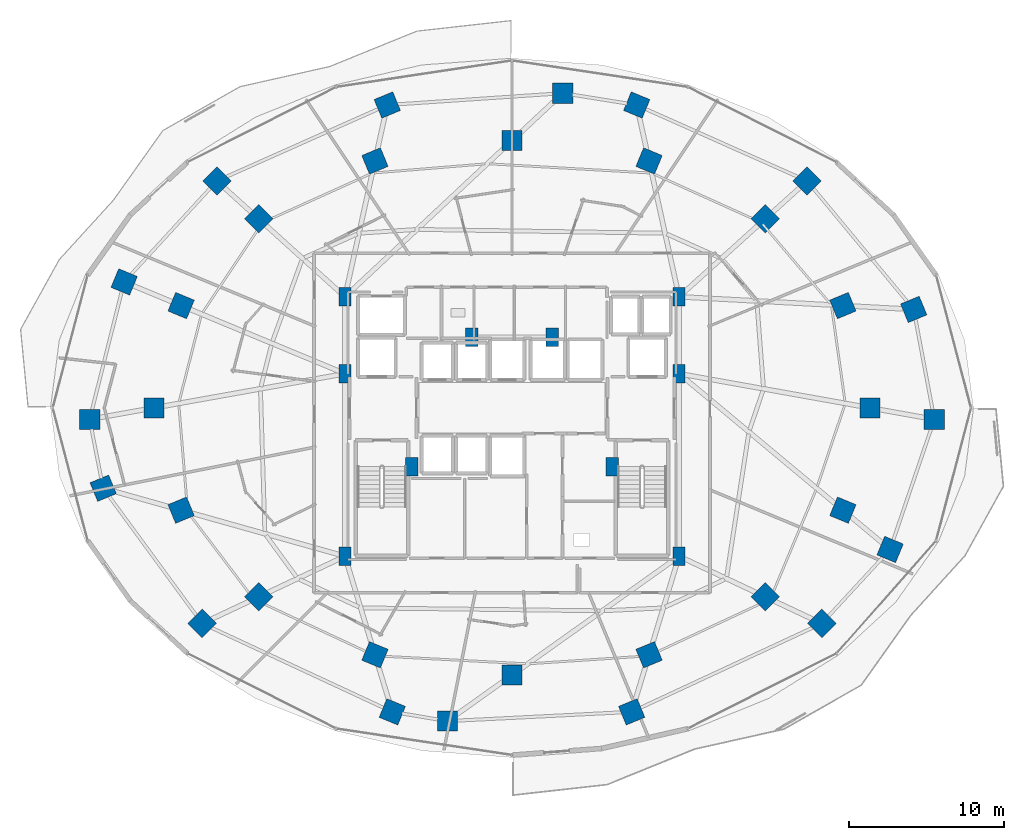
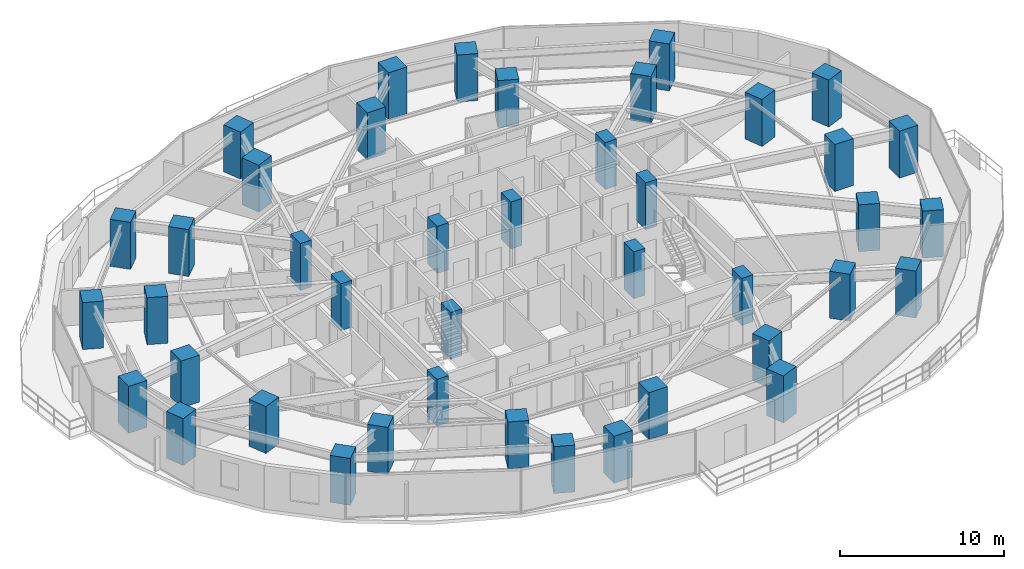
# One storey, part 1 of 35: 42 columns.
"""IFC4 building model written with IfcOpenShell, lengths in metres."""

from ifc_helpers import new_model, si_unit, direction, frame, origin, origin_2d, place, context, subcontext, project, spatial, rectangle, extrude, material, material_profile, profile_set, type_object, element, save


model = new_model("IFC4")

# Units and contexts
model_context = context("Model", 3, precision=1e-05, world=origin(), true_north=direction((0.0, 1.0)))
body_context = subcontext(model_context, "Body", "Model", "MODEL_VIEW")
ifc_project = project(units=[si_unit("LENGTHUNIT", "METRE"), si_unit("AREAUNIT", "SQUARE_METRE"), si_unit("VOLUMEUNIT", "CUBIC_METRE"), si_unit("PLANEANGLEUNIT", "RADIAN"), si_unit("MASSUNIT", "GRAM", prefix="KILO")], contexts=[model_context])

# Site, building, storey
site_placement = place(None, origin())
site = spatial("IfcSite", under=ifc_project, at=site_placement, CompositionType="ELEMENT")
building_placement = place(site_placement, origin())
building = spatial("IfcBuilding", under=site, at=building_placement, Name="Vorneva Point Tower", CompositionType="ELEMENT")
storey_placement = place(building_placement, frame((0.0, 0.0, 45.0)))
storey = spatial("IfcBuildingStorey", under=building, at=storey_placement, Name="L11", CompositionType="ELEMENT", Elevation=45.0)

# Columns
ifc_material = material(Name="Concrete B60 (C50/60)", Category="concrete")
ifc_material_profile_1 = material_profile(ifc_material, rectangle(XDim=1.300048828125, YDim=1.300048828125, at=origin_2d()), Name="RC-COL 1300x1300")
ifc_profile_set_1 = profile_set([ifc_material_profile_1], Name="Concrete B60 (C50/60)")
column_type_1 = type_object("IfcColumnType", Name="COL-RC1300", PredefinedType="COLUMN", material=ifc_profile_set_1)
for number, where, z_axis, x_axis, name in (
    (1, (61.050048828125, 26.0, 0.0), (0.0, 0.0, 1.0), (1.0, 0.0, 0.0), "L11 Perimeter Column P01"),
    (2, (59.29541015625, 32.582275390625, 0.0), (0.0, 0.0, 1.0), (0.923879532511, 0.382683432365, 0.0), "L11 Perimeter Column P02"),
    (3, (54.298828125, 38.162109375, 0.0), (0.0, 0.0, 1.0), (0.707106781187, 0.707106781187, 0.0), "L11 Perimeter Column P03"),
    (4, (46.82080078125, 41.890625, 0.0), (0.0, 0.0, 1.0), (0.382683432365, 0.923879532511, 0.0), "L11 Perimeter Column P04"),
    (5, (38.0, 43.199951171875, 0.0), (0.0, 0.0, 1.0), (0.0, 1.0, 0.0), "L11 Perimeter Column P05"),
    (6, (29.17919921875, 41.890625, 0.0), (0.0, 0.0, 1.0), (-0.382683432365, 0.923879532511, 0.0), "L11 Perimeter Column P06"),
    (7, (21.701171875, 38.162109375, 0.0), (0.0, 0.0, 1.0), (-0.707106781187, 0.707106781187, 0.0), "L11 Perimeter Column P07"),
    (8, (16.70458984375, 32.582275390625, 0.0), (0.0, 0.0, 1.0), (-0.923879532511, 0.382683432365, 0.0), "L11 Perimeter Column P08"),
    (9, (14.949951171875, 26.0, 0.0), (0.0, 0.0, 1.0), (-1.0, 0.0, 0.0), "L11 Perimeter Column P09"),
    (10, (16.70458984375, 19.417724609375, 0.0), (0.0, 0.0, 1.0), (-0.923879532511, -0.382683432365, 0.0), "L11 Perimeter Column P10"),
    (11, (21.701171875, 13.837890625, 0.0), (0.0, 0.0, 1.0), (-0.707106781187, -0.707106781187, 0.0), "L11 Perimeter Column P11"),
    (12, (29.17919921875, 10.109375, 0.0), (0.0, 0.0, 1.0), (-0.382683432365, -0.923879532511, 0.0), "L11 Perimeter Column P12"),
    (13, (38.0, 8.800048828125, 0.0), (0.0, 0.0, 1.0), (0.0, -1.0, 0.0), "L11 Perimeter Column P13"),
    (14, (46.82080078125, 10.109375, 0.0), (0.0, 0.0, 1.0), (0.382683432365, -0.923879532511, 0.0), "L11 Perimeter Column P14"),
    (15, (54.298828125, 13.837890625, 0.0), (0.0, 0.0, 1.0), (0.707106781187, -0.707106781187, 0.0), "L11 Perimeter Column P15"),
    (16, (59.29541015625, 19.417724609375, 0.0), (0.0, 0.0, 1.0), (0.923879532511, -0.382683432365, 0.0), "L11 Perimeter Column P16"),
    (17, (65.18212890625, 25.260986328125, 0.0), (0.0, 0.0, 1.0), (1.0, 0.0, 0.0), "L11 Outer Zone Column OP01"),
    (18, (63.8544921875, 32.336669921875, 0.0), (0.0, 0.0, 1.0), (0.923879532511, 0.382683432365, 0.0), "L11 Outer Zone Column OP02"),
    (19, (56.997314453125, 40.599853515625, 0.0), (0.0, 0.0, 1.0), (0.707106781187, 0.707106781187, 0.0), "L11 Outer Zone Column OP03"),
    (20, (46.026123046875, 45.49169921875, 0.0), (0.0, 0.0, 1.0), (0.382683432365, 0.923879532511, 0.0), "L11 Outer Zone Column OP04"),
    (21, (41.26513671875, 46.25244140625, 0.0), (0.0, 0.0, 1.0), (0.0, 1.0, 0.0), "L11 Outer Zone Column OP05"),
    (22, (29.973876953125, 45.49169921875, 0.0), (0.0, 0.0, 1.0), (-0.382683432365, 0.923879532511, 0.0), "L11 Outer Zone Column OP06"),
    (23, (19.002685546875, 40.599853515625, 0.0), (0.0, 0.0, 1.0), (-0.707106781187, 0.707106781187, 0.0), "L11 Outer Zone Column OP07"),
    (24, (13.0390625, 34.10546875, 0.0), (0.0, 0.0, 1.0), (-0.923879532511, 0.382683432365, 0.0), "L11 Outer Zone Column OP08"),
    (25, (10.81787109375, 25.260986328125, 0.0), (0.0, 0.0, 1.0), (-1.0, 0.0, 0.0), "L11 Outer Zone Column OP09"),
    (26, (11.68798828125, 20.82958984375, 0.0), (0.0, 0.0, 1.0), (-0.923879532511, -0.382683432365, 0.0), "L11 Outer Zone Column OP10"),
    (27, (18.061279296875, 12.124267578125, 0.0), (0.0, 0.0, 1.0), (-0.707106781187, -0.707106781187, 0.0), "L11 Outer Zone Column OP11"),
    (28, (30.296875, 6.435302734375, 0.0), (0.0, 0.0, 1.0), (-0.382683432365, -0.923879532511, 0.0), "L11 Outer Zone Column OP12"),
    (29, (33.84033203125, 5.83984375, 0.0), (0.0, 0.0, 1.0), (0.0, -1.0, 0.0), "L11 Outer Zone Column OP13"),
    (30, (45.703125, 6.435302734375, 0.0), (0.0, 0.0, 1.0), (0.382683432365, -0.923879532511, 0.0), "L11 Outer Zone Column OP14"),
    (31, (57.938720703125, 12.124267578125, 0.0), (0.0, 0.0, 1.0), (0.707106781187, -0.707106781187, 0.0), "L11 Outer Zone Column OP15"),
    (32, (62.3349609375, 16.886474609375, 0.0), (0.0, 0.0, 1.0), (0.923879532511, -0.382683432365, 0.0), "L11 Outer Zone Column OP16"),
):
    element("IfcColumn", number, at=place(storey_placement, frame(where, z_axis=z_axis, x_axis=x_axis)), inside=storey, type_object=column_type_1, Name=name, PredefinedType="COLUMN", context=body_context, shape_type="SweptSolid", body=[
        extrude(rectangle(XDim=1.300048828125, YDim=1.300048828125, at=origin_2d()), origin(), (0.0, 0.0, 1.0), 3.5),
    ])
ifc_material_profile_2 = material_profile(ifc_material, rectangle(XDim=0.800048828125, YDim=1.199951171875, at=origin_2d()), Name="RC-PIL 1200x800")
ifc_profile_set_2 = profile_set([ifc_material_profile_2], Name="Concrete B60 (C50/60)")
column_type_2 = type_object("IfcColumnType", Name="PIL-RC1200x800", PredefinedType="PILASTER", material=ifc_profile_set_2)
for number, where, z_axis, x_axis, name in (
    (33, (27.25, 16.449951171875, 0.0), (0.0, 0.0, 1.0), (1.0, 0.0, 0.0), "L11 Core Pilaster CP1"),
    (34, (27.25, 28.199951171875, 0.0), (0.0, 0.0, 1.0), (1.0, 0.0, 0.0), "L11 Core Pilaster CP2"),
    (35, (27.25, 33.14990234375, 0.0), (0.0, 0.0, 1.0), (1.0, 0.0, 0.0), "L11 Core Pilaster CP3"),
    (36, (31.550048828125, 22.199951171875, 0.0), (0.0, 0.0, 1.0), (1.0, 0.0, 0.0), "L11 Core Pilaster CP4"),
    (37, (48.75, 33.14990234375, 0.0), (0.0, 0.0, 1.0), (1.0, 0.0, 0.0), "L11 Core Pilaster CP5"),
    (38, (48.75, 28.199951171875, 0.0), (0.0, 0.0, 1.0), (1.0, 0.0, 0.0), "L11 Core Pilaster CP6"),
    (39, (48.75, 16.449951171875, 0.0), (0.0, 0.0, 1.0), (1.0, 0.0, 0.0), "L11 Core Pilaster CP7"),
    (40, (44.449951171875, 22.199951171875, 0.0), (0.0, 0.0, 1.0), (1.0, 0.0, 0.0), "L11 Core Pilaster CP8"),
    (41, (35.39990234375, 30.550048828125, 0.0), (0.0, 0.0, 1.0), (1.0, 0.0, 0.0), "L11 Core Pilaster CP9"),
    (42, (40.60009765625, 30.550048828125, 0.0), (0.0, 0.0, 1.0), (1.0, 0.0, 0.0), "L11 Core Pilaster CP10"),
):
    element("IfcColumn", number, at=place(storey_placement, frame(where, z_axis=z_axis, x_axis=x_axis)), inside=storey, type_object=column_type_2, Name=name, PredefinedType="PILASTER", context=body_context, shape_type="SweptSolid", body=[
        extrude(rectangle(XDim=0.800048828125, YDim=1.199951171875, at=origin_2d()), origin(), (0.0, 0.0, 1.0), 3.5),
    ])

save(model, "model.ifc")
